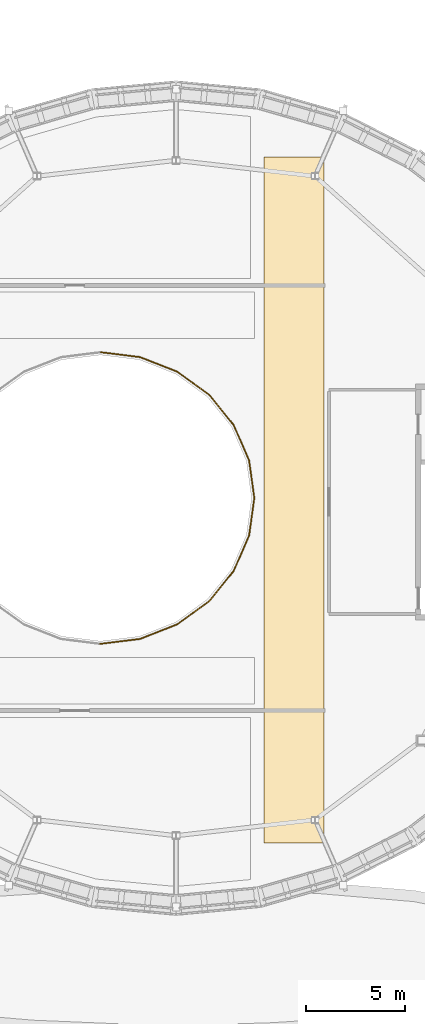
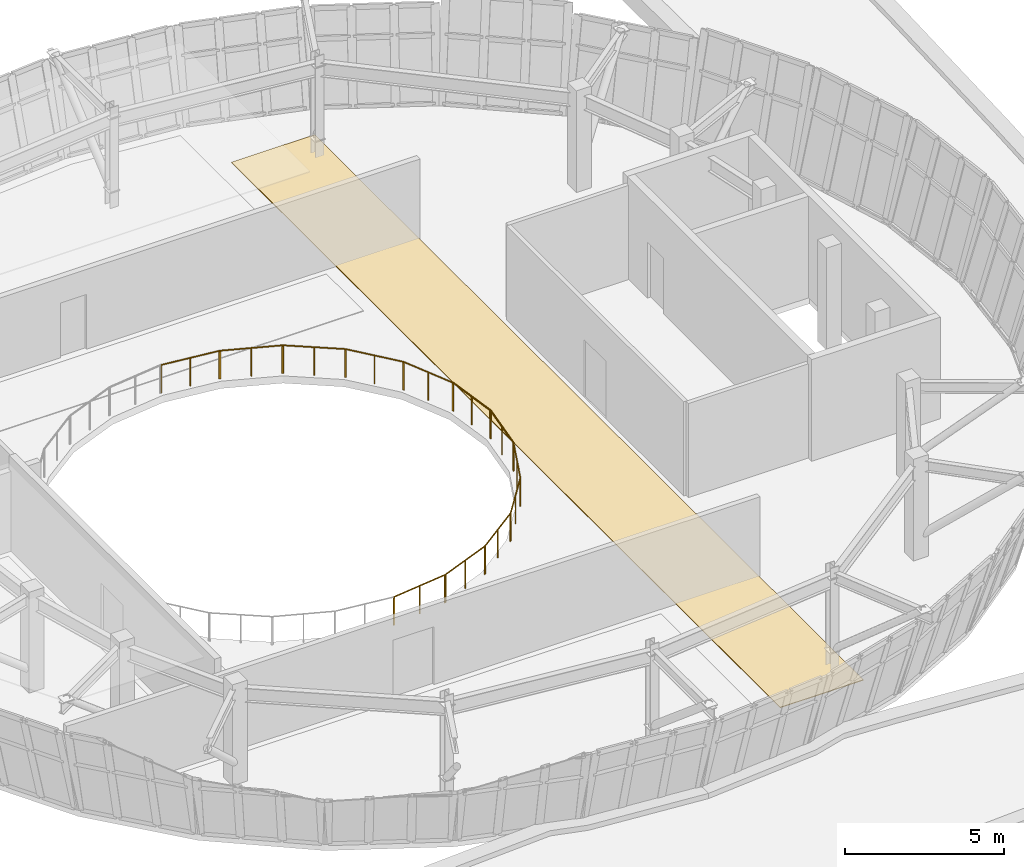
# One storey, part 97 of 111: 2 railings, 1 covering.
"""IFC4 building model written with IfcOpenShell, lengths in metres."""

from ifc_helpers import new_model, si_unit, direction, frame, origin, origin_2d, place, context, subcontext, project, spatial, polyline, circle, outline, extrude, material, layer, layer_set, type_object, element, save


model = new_model("IFC4")

# Units and contexts
model_context = context("Model", 3, precision=1e-05, world=origin(), true_north=direction((0.0, 1.0)))
body_context = subcontext(model_context, "Body", "Model", "MODEL_VIEW")
ifc_project = project(units=[si_unit("LENGTHUNIT", "METRE"), si_unit("AREAUNIT", "SQUARE_METRE"), si_unit("VOLUMEUNIT", "CUBIC_METRE"), si_unit("PLANEANGLEUNIT", "RADIAN"), si_unit("MASSUNIT", "GRAM", prefix="KILO")], contexts=[model_context])

# Site, building, storey
site_placement = place(None, origin())
site = spatial("IfcSite", under=ifc_project, at=site_placement, CompositionType="ELEMENT")
building_placement = place(site_placement, origin())
building = spatial("IfcBuilding", under=site, at=building_placement, Name="Corveleigh Park Community Centre", CompositionType="ELEMENT")
storey_placement = place(building_placement, frame((0.0, 0.0, 4.800048828125)))
storey = spatial("IfcBuildingStorey", under=building, at=storey_placement, Name="L01", CompositionType="ELEMENT", Elevation=4.800048828125)

# Covering
ifc_material_1 = material(Name="Acoustic linoleum flooring", Category="wood")
ifc_layer = layer(ifc_material_1, 0.02490234375, Name="Acoustic linoleum flooring", Category="wood")
ifc_layer_set = layer_set([ifc_layer], Name="Acoustic linoleum flooring")
covering_type = type_object("IfcCoveringType", Name="COV-FLR-LIN", PredefinedType="FLOORING", material=ifc_layer_set)
covering_placement = place(storey_placement, origin())
element("IfcCovering", 1, at=covering_placement, inside=storey, type_object=covering_type, Name="Sanctuary East Gallery Concourse flooring", PredefinedType="FLOORING", context=body_context, shape_type="SweptSolid", body=[
    extrude(outline(polyline([(38.4599609375, 10.239990234375), (35.43994140625, 10.239990234375), (35.43994140625, 44.760009765625), (38.4599609375, 44.760009765625), (38.4599609375, 10.239990234375)])), origin(), (0.0, 0.0, 1.0), 0.02490234375),
])

# Railings
ifc_material_2 = material(Name="Stainless steel 316 balustrade", Category="steel")
railing_type = type_object("IfcRailingType", Name="RLG-BAL-INT-1100", PredefinedType="BALUSTRADE", material=ifc_material_2)
railing_1_placement = place(storey_placement, frame((34.93896484375, 27.5810546875, 0.0)))
element("IfcRailing", 2, at=railing_1_placement, inside=storey, type_object=railing_type, Name="Sanctuary oval void balustrade 1", PredefinedType="BALUSTRADE", context=body_context, shape_type="SweptSolid", body=[
    extrude(circle(Radius=0.02392578125, at=origin_2d()), frame((0.0, 0.0, 1.076171875), z_axis=(-0.13771339529, -0.990472120131, 0.0), x_axis=(0.990472120131, -0.13771339529, 0.0)), (0.0, 0.0, 1.0), 1.880859375),
    extrude(circle(Radius=0.02392578125, at=origin_2d()), frame((-0.259033203125, -1.863037109375, 1.076171875), z_axis=(-0.220825652598, -0.975313298974, 0.0), x_axis=(0.975313298974, -0.220825652598, 0.0)), (0.0, 0.0, 1.0), 0.01318359375),
    extrude(circle(Radius=0.02392578125, at=origin_2d()), frame((-0.261962890625, -1.8759765625, 1.076171875), z_axis=(-0.237868729379, -0.971297311632, 0.0), x_axis=(0.971297311632, -0.237868729379, 0.0)), (0.0, 0.0, 1.0), 0.01220703125),
    extrude(circle(Radius=0.02392578125, at=origin_2d()), frame((-0.264892578125, -1.887939453125, 1.076171875), z_axis=(-0.387232484355, -0.921982105607, 0.0), x_axis=(0.921982105607, -0.387232484355, 0.0)), (0.0, 0.0, 1.0), 0.01318359375),
    extrude(circle(Radius=0.02392578125, at=origin_2d()), frame((-0.27001953125, -1.900146484375, 1.076171875), z_axis=(-0.400453925863, -0.916316895654, 0.0), x_axis=(0.916316895654, -0.400453925863, 0.0)), (0.0, 0.0, 1.0), 1.8955078125),
    extrude(circle(Radius=0.02392578125, at=origin_2d()), frame((-1.029052734375, -3.636962890625, 1.076171875), z_axis=(-0.406138466053, -0.91381154862, 0.0), x_axis=(0.91381154862, -0.406138466053, 0.0)), (0.0, 0.0, 1.0), 0.011962890625),
    extrude(circle(Radius=0.02392578125, at=origin_2d()), frame((-1.033935546875, -3.64794921875, 1.076171875), z_axis=(-0.541701333727, -0.840571035094, 0.0), x_axis=(0.840571035094, -0.541701333727, 0.0)), (0.0, 0.0, 1.0), 0.01318359375),
    extrude(circle(Radius=0.02392578125, at=origin_2d()), frame((-1.041015625, -3.658935546875, 1.076171875), z_axis=(-0.563961646158, -0.825800981874, 0.0), x_axis=(0.825800981874, -0.563961646158, 0.0)), (0.0, 0.0, 1.0), 0.01220703125),
    extrude(circle(Radius=0.02392578125, at=origin_2d()), frame((-1.0478515625, -3.6689453125, 1.076171875), z_axis=(-0.629461685183, -0.777031522453, 0.0), x_axis=(0.777031522453, -0.629461685183, 0.0)), (0.0, 0.0, 1.0), 1.919189453125),
    extrude(circle(Radius=0.02392578125, at=origin_2d()), frame((-2.255859375, -5.16015625, 1.076171875), z_axis=(-0.675724628517, -0.737154140201, 0.0), x_axis=(0.737154140201, -0.675724628517, 0.0)), (0.0, 0.0, 1.0), 0.011962890625),
    extrude(circle(Radius=0.02392578125, at=origin_2d()), frame((-2.263916015625, -5.1689453125, 1.076171875), z_axis=(-0.707106781187, -0.707106781187, 0.0), x_axis=(0.707106781187, -0.707106781187, 0.0)), (0.0, 0.0, 1.0), 0.0126953125),
    extrude(circle(Radius=0.02392578125, at=origin_2d()), frame((-2.27294921875, -5.177978515625, 1.076171875), z_axis=(-0.816415639507, -0.577464720627, 0.0), x_axis=(0.577464720627, -0.816415639507, 0.0)), (0.0, 0.0, 1.0), 0.01220703125),
    extrude(circle(Radius=0.02392578125, at=origin_2d()), frame((-2.282958984375, -5.18505859375, 1.076171875), z_axis=(-0.808898823966, -0.587947865535, 0.0), x_axis=(0.587947865535, -0.808898823966, 0.0)), (0.0, 0.0, 1.0), 1.94580078125),
    extrude(circle(Radius=0.02392578125, at=origin_2d()), frame((-3.85693359375, -6.3291015625, 1.076171875), z_axis=(-0.825800981874, -0.563961646158, 0.0), x_axis=(0.563961646158, -0.825800981874, 0.0)), (0.0, 0.0, 1.0), 0.01220703125),
    extrude(circle(Radius=0.02392578125, at=origin_2d()), frame((-3.866943359375, -6.3359375, 1.076171875), z_axis=(-0.853796175794, -0.520607424265, 0.0), x_axis=(0.520607424265, -0.853796175794, 0.0)), (0.0, 0.0, 1.0), 0.01171875),
    extrude(circle(Radius=0.02392578125, at=origin_2d()), frame((-3.876953125, -6.342041015625, 1.076171875), z_axis=(-0.942214690279, -0.335009667655, 0.0), x_axis=(0.335009667655, -0.942214690279, 0.0)), (0.0, 0.0, 1.0), 0.01171875),
    extrude(circle(Radius=0.02392578125, at=origin_2d()), frame((-3.887939453125, -6.345947265625, 1.076171875), z_axis=(-0.930733411138, -0.365698396758, 0.0), x_axis=(0.365698396758, -0.930733411138, 0.0)), (0.0, 0.0, 1.0), 1.969482421875),
    extrude(circle(Radius=0.02392578125, at=origin_2d()), frame((-5.720947265625, -7.066162109375, 1.076171875), z_axis=(-0.942214690279, -0.335009667655, 0.0), x_axis=(0.335009667655, -0.942214690279, 0.0)), (0.0, 0.0, 1.0), 0.01171875),
    extrude(circle(Radius=0.02392578125, at=origin_2d()), frame((-5.73193359375, -7.070068359375, 1.076171875), z_axis=(-0.966234939601, -0.25766265056, 0.0), x_axis=(0.25766265056, -0.966234939601, 0.0)), (0.0, 0.0, 1.0), 0.011474609375),
    extrude(circle(Radius=0.02392578125, at=origin_2d()), frame((-5.742919921875, -7.072998046875, 1.076171875), z_axis=(-0.986932880776, -0.161131898902, 0.0), x_axis=(0.161131898902, -0.986932880776, 0.0)), (0.0, 0.0, 1.0), 0.01220703125),
    extrude(circle(Radius=0.02392578125, at=origin_2d()), frame((-5.7548828125, -7.074951171875, 1.076171875), z_axis=(-0.992325174775, -0.123655762129, 0.0), x_axis=(0.123655762129, -0.992325174775, 0.0)), (0.0, 0.0, 1.0), 1.982177734375),
    extrude(circle(Radius=0.02392578125, at=origin_2d()), frame((-7.721923828125, -7.320068359375, 1.076171875), z_axis=(-0.996072640693, -0.088539790284, 0.0), x_axis=(0.088539790284, -0.996072640693, 0.0)), (0.0, 0.0, 1.0), 0.010986328125),
    extrude(circle(Radius=0.02392578125, at=origin_2d()), frame((-7.73291015625, -7.321044921875, 1.076171875), z_axis=(-1.0, 0.0, 0.0), x_axis=(0.0, -1.0, 0.0)), (0.0, 0.0, 1.0), 0.011962890625),
    extrude(circle(Radius=0.02392578125, at=origin_2d()), frame((-7.744873046875, -7.321044921875, 1.076171875), z_axis=(-0.996072640693, 0.088539790284, 0.0), x_axis=(-0.088539790284, -0.996072640693, 0.0)), (0.0, 0.0, 1.0), 0.010986328125),
    extrude(circle(Radius=0.02099609375, at=origin_2d()), origin(), (0.0, 0.0, 1.0), 1.052001953125),
    extrude(circle(Radius=0.02099609375, at=origin_2d()), frame((-0.12939453125, -0.931640625, 0.0)), (0.0, 0.0, 1.0), 1.052001953125),
    extrude(circle(Radius=0.02099609375, at=origin_2d()), frame((-0.259033203125, -1.863037109375, 0.0)), (0.0, 0.0, 1.0), 1.052001953125),
    extrude(circle(Radius=0.02099609375, at=origin_2d()), frame((-0.261962890625, -1.8759765625, 0.0)), (0.0, 0.0, 1.0), 1.052001953125),
    extrude(circle(Radius=0.02099609375, at=origin_2d()), frame((-0.264892578125, -1.887939453125, 0.0)), (0.0, 0.0, 1.0), 1.052001953125),
    extrude(circle(Radius=0.02099609375, at=origin_2d()), frame((-0.27001953125, -1.900146484375, 0.0)), (0.0, 0.0, 1.0), 1.052001953125),
    extrude(circle(Radius=0.02099609375, at=origin_2d()), frame((-0.6494140625, -2.7685546875, 0.0)), (0.0, 0.0, 1.0), 1.052001953125),
    extrude(circle(Radius=0.02099609375, at=origin_2d()), frame((-1.029052734375, -3.636962890625, 0.0)), (0.0, 0.0, 1.0), 1.052001953125),
    extrude(circle(Radius=0.02099609375, at=origin_2d()), frame((-1.033935546875, -3.64794921875, 0.0)), (0.0, 0.0, 1.0), 1.052001953125),
    extrude(circle(Radius=0.02099609375, at=origin_2d()), frame((-1.041015625, -3.658935546875, 0.0)), (0.0, 0.0, 1.0), 1.052001953125),
    extrude(circle(Radius=0.02099609375, at=origin_2d()), frame((-1.0478515625, -3.6689453125, 0.0)), (0.0, 0.0, 1.0), 1.052001953125),
    extrude(circle(Radius=0.02099609375, at=origin_2d()), frame((-1.65185546875, -4.41455078125, 0.0)), (0.0, 0.0, 1.0), 1.052001953125),
    extrude(circle(Radius=0.02099609375, at=origin_2d()), frame((-2.255859375, -5.16015625, 0.0)), (0.0, 0.0, 1.0), 1.052001953125),
    extrude(circle(Radius=0.02099609375, at=origin_2d()), frame((-2.263916015625, -5.1689453125, 0.0)), (0.0, 0.0, 1.0), 1.052001953125),
    extrude(circle(Radius=0.02099609375, at=origin_2d()), frame((-2.27294921875, -5.177978515625, 0.0)), (0.0, 0.0, 1.0), 1.052001953125),
    extrude(circle(Radius=0.02099609375, at=origin_2d()), frame((-2.282958984375, -5.18505859375, 0.0)), (0.0, 0.0, 1.0), 1.052001953125),
    extrude(circle(Radius=0.02099609375, at=origin_2d()), frame((-3.06982421875, -5.757080078125, 0.0)), (0.0, 0.0, 1.0), 1.052001953125),
    extrude(circle(Radius=0.02099609375, at=origin_2d()), frame((-3.85693359375, -6.3291015625, 0.0)), (0.0, 0.0, 1.0), 1.052001953125),
    extrude(circle(Radius=0.02099609375, at=origin_2d()), frame((-3.866943359375, -6.3359375, 0.0)), (0.0, 0.0, 1.0), 1.052001953125),
    extrude(circle(Radius=0.02099609375, at=origin_2d()), frame((-3.876953125, -6.342041015625, 0.0)), (0.0, 0.0, 1.0), 1.052001953125),
    extrude(circle(Radius=0.02099609375, at=origin_2d()), frame((-3.887939453125, -6.345947265625, 0.0)), (0.0, 0.0, 1.0), 1.052001953125),
    extrude(circle(Radius=0.02099609375, at=origin_2d()), frame((-4.804443359375, -6.7060546875, 0.0)), (0.0, 0.0, 1.0), 1.052001953125),
    extrude(circle(Radius=0.02099609375, at=origin_2d()), frame((-5.720947265625, -7.066162109375, 0.0)), (0.0, 0.0, 1.0), 1.052001953125),
    extrude(circle(Radius=0.02099609375, at=origin_2d()), frame((-5.73193359375, -7.070068359375, 0.0)), (0.0, 0.0, 1.0), 1.052001953125),
    extrude(circle(Radius=0.02099609375, at=origin_2d()), frame((-5.742919921875, -7.072998046875, 0.0)), (0.0, 0.0, 1.0), 1.052001953125),
    extrude(circle(Radius=0.02099609375, at=origin_2d()), frame((-5.7548828125, -7.074951171875, 0.0)), (0.0, 0.0, 1.0), 1.052001953125),
    extrude(circle(Radius=0.02099609375, at=origin_2d()), frame((-6.73828125, -7.197509765625, 0.0)), (0.0, 0.0, 1.0), 1.052001953125),
    extrude(circle(Radius=0.02099609375, at=origin_2d()), frame((-7.721923828125, -7.320068359375, 0.0)), (0.0, 0.0, 1.0), 1.052001953125),
    extrude(circle(Radius=0.02099609375, at=origin_2d()), frame((-7.73291015625, -7.321044921875, 0.0)), (0.0, 0.0, 1.0), 1.052001953125),
    extrude(circle(Radius=0.02099609375, at=origin_2d()), frame((-7.744873046875, -7.321044921875, 0.0)), (0.0, 0.0, 1.0), 1.052001953125),
    extrude(circle(Radius=0.02099609375, at=origin_2d()), frame((-7.755859375, -7.320068359375, 0.0)), (0.0, 0.0, 1.0), 1.052001953125),
])
railing_2_placement = place(storey_placement, frame((27.217041015625, 34.93896484375, 0.0)))
element("IfcRailing", 3, at=railing_2_placement, inside=storey, type_object=railing_type, Name="Sanctuary oval void balustrade 4", PredefinedType="BALUSTRADE", context=body_context, shape_type="SweptSolid", body=[
    extrude(circle(Radius=0.02392578125, at=origin_2d()), frame((0.0, 0.0, 1.076171875), z_axis=(0.992340280535, -0.123534479506, 0.0), x_axis=(0.123534479506, 0.992340280535, 0.0)), (0.0, 0.0, 1.0), 1.982177734375),
    extrude(circle(Radius=0.02392578125, at=origin_2d()), frame((1.967041015625, -0.244873046875, 1.076171875), z_axis=(0.983547166232, -0.180651520328, 0.0), x_axis=(0.180651520328, 0.983547166232, 0.0)), (0.0, 0.0, 1.0), 0.01220703125),
    extrude(circle(Radius=0.02392578125, at=origin_2d()), frame((1.97900390625, -0.2470703125, 1.076171875), z_axis=(0.966234939601, -0.25766265056, 0.0), x_axis=(0.25766265056, 0.966234939601, 0.0)), (0.0, 0.0, 1.0), 0.011474609375),
    extrude(circle(Radius=0.02392578125, at=origin_2d()), frame((1.989990234375, -0.25, 1.076171875), z_axis=(0.942214690279, -0.335009667655, 0.0), x_axis=(0.335009667655, 0.942214690279, 0.0)), (0.0, 0.0, 1.0), 0.01171875),
    extrude(circle(Radius=0.02392578125, at=origin_2d()), frame((2.0009765625, -0.25390625, 1.076171875), z_axis=(0.930775600729, -0.365591002471, 0.0), x_axis=(0.365591002471, 0.930775600729, 0.0)), (0.0, 0.0, 1.0), 1.96923828125),
    extrude(circle(Radius=0.02392578125, at=origin_2d()), frame((3.833984375, -0.973876953125, 1.076171875), z_axis=(0.935472093667, -0.353400568719, 0.0), x_axis=(0.353400568719, 0.935472093667, 0.0)), (0.0, 0.0, 1.0), 0.01171875),
    extrude(circle(Radius=0.02392578125, at=origin_2d()), frame((3.844970703125, -0.97802734375, 1.076171875), z_axis=(0.863014469347, -0.505179201569, 0.0), x_axis=(0.505179201569, 0.863014469347, 0.0)), (0.0, 0.0, 1.0), 0.01171875),
    extrude(circle(Radius=0.02392578125, at=origin_2d()), frame((3.85498046875, -0.98388671875, 1.076171875), z_axis=(0.816415639507, -0.577464720627, 0.0), x_axis=(0.577464720627, 0.816415639507, 0.0)), (0.0, 0.0, 1.0), 0.01220703125),
    extrude(circle(Radius=0.02392578125, at=origin_2d()), frame((3.864990234375, -0.990966796875, 1.076171875), z_axis=(0.808898823966, -0.587947865535, 0.0), x_axis=(0.587947865535, 0.808898823966, 0.0)), (0.0, 0.0, 1.0), 1.94580078125),
    extrude(circle(Radius=0.02392578125, at=origin_2d()), frame((5.43896484375, -2.135009765625, 1.076171875), z_axis=(0.825800981874, -0.563961646158, 0.0), x_axis=(0.563961646158, 0.825800981874, 0.0)), (0.0, 0.0, 1.0), 0.01220703125),
    extrude(circle(Radius=0.02392578125, at=origin_2d()), frame((5.448974609375, -2.141845703125, 1.076171875), z_axis=(0.707106781187, -0.707106781187, 0.0), x_axis=(0.707106781187, 0.707106781187, 0.0)), (0.0, 0.0, 1.0), 0.0126953125),
    extrude(circle(Radius=0.02392578125, at=origin_2d()), frame((5.4580078125, -2.15087890625, 1.076171875), z_axis=(0.665614846958, -0.746295434469, 0.0), x_axis=(0.746295434469, 0.665614846958, 0.0)), (0.0, 0.0, 1.0), 0.01220703125),
    extrude(circle(Radius=0.02392578125, at=origin_2d()), frame((5.466064453125, -2.159912109375, 1.076171875), z_axis=(0.629523911829, -0.776981109446, 0.0), x_axis=(0.776981109446, 0.629523911829, 0.0)), (0.0, 0.0, 1.0), 1.9189453125),
    extrude(circle(Radius=0.02392578125, at=origin_2d()), frame((6.674072265625, -3.65087890625, 1.076171875), z_axis=(0.563961646158, -0.825800981874, 0.0), x_axis=(0.825800981874, 0.563961646158, 0.0)), (0.0, 0.0, 1.0), 0.01220703125),
    extrude(circle(Radius=0.02392578125, at=origin_2d()), frame((6.680908203125, -3.660888671875, 1.076171875), z_axis=(0.541701333727, -0.840571035094, 0.0), x_axis=(0.840571035094, 0.541701333727, 0.0)), (0.0, 0.0, 1.0), 0.01318359375),
    extrude(circle(Radius=0.02392578125, at=origin_2d()), frame((6.68798828125, -3.671875, 1.076171875), z_axis=(0.406138466053, -0.91381154862, 0.0), x_axis=(0.91381154862, 0.406138466053, 0.0)), (0.0, 0.0, 1.0), 0.011962890625),
    extrude(circle(Radius=0.02392578125, at=origin_2d()), frame((6.69287109375, -3.682861328125, 1.076171875), z_axis=(0.40040666695, -0.916337547556, 0.0), x_axis=(0.916337547556, 0.40040666695, 0.0)), (0.0, 0.0, 1.0), 1.895751953125),
    extrude(circle(Radius=0.02392578125, at=origin_2d()), frame((7.451904296875, -5.419921875, 1.076171875), z_axis=(0.393919298579, -0.919145030018, 0.0), x_axis=(0.919145030018, 0.393919298579, 0.0)), (0.0, 0.0, 1.0), 0.012939453125),
    extrude(circle(Radius=0.02392578125, at=origin_2d()), frame((7.45703125, -5.431884765625, 1.076171875), z_axis=(0.237868729379, -0.971297311632, 0.0), x_axis=(0.971297311632, 0.237868729379, 0.0)), (0.0, 0.0, 1.0), 0.01220703125),
    extrude(circle(Radius=0.02392578125, at=origin_2d()), frame((7.4599609375, -5.44384765625, 1.076171875), z_axis=(0.216930457819, -0.976187060184, 0.0), x_axis=(0.976187060184, 0.216930457819, 0.0)), (0.0, 0.0, 1.0), 0.013427734375),
    extrude(circle(Radius=0.02392578125, at=origin_2d()), frame((7.462890625, -5.45703125, 1.076171875), z_axis=(0.13771339529, -0.990472120131, 0.0), x_axis=(0.990472120131, 0.13771339529, 0.0)), (0.0, 0.0, 1.0), 1.880859375),
    extrude(circle(Radius=0.02392578125, at=origin_2d()), frame((7.721923828125, -7.320068359375, 1.076171875), z_axis=(0.075257669471, -0.997164120487, 0.0), x_axis=(0.997164120487, 0.075257669471, 0.0)), (0.0, 0.0, 1.0), 0.012939453125),
    extrude(circle(Radius=0.02392578125, at=origin_2d()), frame((7.722900390625, -7.3330078125, 1.076171875), z_axis=(0.0, -1.0, 0.0), x_axis=(1.0, 0.0, 0.0)), (0.0, 0.0, 1.0), 0.011962890625),
    extrude(circle(Radius=0.02392578125, at=origin_2d()), frame((7.722900390625, -7.344970703125, 1.076171875), z_axis=(-0.075257669471, -0.997164120487, 0.0), x_axis=(0.997164120487, -0.075257669471, 0.0)), (0.0, 0.0, 1.0), 0.012939453125),
    extrude(circle(Radius=0.02099609375, at=origin_2d()), origin(), (0.0, 0.0, 1.0), 1.052001953125),
    extrude(circle(Radius=0.02099609375, at=origin_2d()), frame((0.9833984375, -0.12255859375, 0.0)), (0.0, 0.0, 1.0), 1.052001953125),
    extrude(circle(Radius=0.02099609375, at=origin_2d()), frame((1.967041015625, -0.244873046875, 0.0)), (0.0, 0.0, 1.0), 1.052001953125),
    extrude(circle(Radius=0.02099609375, at=origin_2d()), frame((1.97900390625, -0.2470703125, 0.0)), (0.0, 0.0, 1.0), 1.052001953125),
    extrude(circle(Radius=0.02099609375, at=origin_2d()), frame((1.989990234375, -0.25, 0.0)), (0.0, 0.0, 1.0), 1.052001953125),
    extrude(circle(Radius=0.02099609375, at=origin_2d()), frame((2.0009765625, -0.25390625, 0.0)), (0.0, 0.0, 1.0), 1.052001953125),
    extrude(circle(Radius=0.02099609375, at=origin_2d()), frame((2.91748046875, -0.61376953125, 0.0)), (0.0, 0.0, 1.0), 1.052001953125),
    extrude(circle(Radius=0.02099609375, at=origin_2d()), frame((3.833984375, -0.973876953125, 0.0)), (0.0, 0.0, 1.0), 1.052001953125),
    extrude(circle(Radius=0.02099609375, at=origin_2d()), frame((3.844970703125, -0.97802734375, 0.0)), (0.0, 0.0, 1.0), 1.052001953125),
    extrude(circle(Radius=0.02099609375, at=origin_2d()), frame((3.85498046875, -0.98388671875, 0.0)), (0.0, 0.0, 1.0), 1.052001953125),
    extrude(circle(Radius=0.02099609375, at=origin_2d()), frame((3.864990234375, -0.990966796875, 0.0)), (0.0, 0.0, 1.0), 1.052001953125),
    extrude(circle(Radius=0.02099609375, at=origin_2d()), frame((4.65185546875, -1.56298828125, 0.0)), (0.0, 0.0, 1.0), 1.052001953125),
    extrude(circle(Radius=0.02099609375, at=origin_2d()), frame((5.43896484375, -2.135009765625, 0.0)), (0.0, 0.0, 1.0), 1.052001953125),
    extrude(circle(Radius=0.02099609375, at=origin_2d()), frame((5.448974609375, -2.141845703125, 0.0)), (0.0, 0.0, 1.0), 1.052001953125),
    extrude(circle(Radius=0.02099609375, at=origin_2d()), frame((5.4580078125, -2.15087890625, 0.0)), (0.0, 0.0, 1.0), 1.052001953125),
    extrude(circle(Radius=0.02099609375, at=origin_2d()), frame((5.466064453125, -2.159912109375, 0.0)), (0.0, 0.0, 1.0), 1.052001953125),
    extrude(circle(Radius=0.02099609375, at=origin_2d()), frame((6.070068359375, -2.9052734375, 0.0)), (0.0, 0.0, 1.0), 1.052001953125),
    extrude(circle(Radius=0.02099609375, at=origin_2d()), frame((6.674072265625, -3.65087890625, 0.0)), (0.0, 0.0, 1.0), 1.052001953125),
    extrude(circle(Radius=0.02099609375, at=origin_2d()), frame((6.680908203125, -3.660888671875, 0.0)), (0.0, 0.0, 1.0), 1.052001953125),
    extrude(circle(Radius=0.02099609375, at=origin_2d()), frame((6.68798828125, -3.671875, 0.0)), (0.0, 0.0, 1.0), 1.052001953125),
    extrude(circle(Radius=0.02099609375, at=origin_2d()), frame((6.69287109375, -3.682861328125, 0.0)), (0.0, 0.0, 1.0), 1.052001953125),
    extrude(circle(Radius=0.02099609375, at=origin_2d()), frame((7.072265625, -4.55126953125, 0.0)), (0.0, 0.0, 1.0), 1.052001953125),
    extrude(circle(Radius=0.02099609375, at=origin_2d()), frame((7.451904296875, -5.419921875, 0.0)), (0.0, 0.0, 1.0), 1.052001953125),
    extrude(circle(Radius=0.02099609375, at=origin_2d()), frame((7.45703125, -5.431884765625, 0.0)), (0.0, 0.0, 1.0), 1.052001953125),
    extrude(circle(Radius=0.02099609375, at=origin_2d()), frame((7.4599609375, -5.44384765625, 0.0)), (0.0, 0.0, 1.0), 1.052001953125),
    extrude(circle(Radius=0.02099609375, at=origin_2d()), frame((7.462890625, -5.45703125, 0.0)), (0.0, 0.0, 1.0), 1.052001953125),
    extrude(circle(Radius=0.02099609375, at=origin_2d()), frame((7.59228515625, -6.388671875, 0.0)), (0.0, 0.0, 1.0), 1.052001953125),
    extrude(circle(Radius=0.02099609375, at=origin_2d()), frame((7.721923828125, -7.320068359375, 0.0)), (0.0, 0.0, 1.0), 1.052001953125),
    extrude(circle(Radius=0.02099609375, at=origin_2d()), frame((7.722900390625, -7.3330078125, 0.0)), (0.0, 0.0, 1.0), 1.052001953125),
    extrude(circle(Radius=0.02099609375, at=origin_2d()), frame((7.722900390625, -7.344970703125, 0.0)), (0.0, 0.0, 1.0), 1.052001953125),
    extrude(circle(Radius=0.02099609375, at=origin_2d()), frame((7.721923828125, -7.35791015625, 0.0)), (0.0, 0.0, 1.0), 1.052001953125),
])

save(model, "model.ifc")
